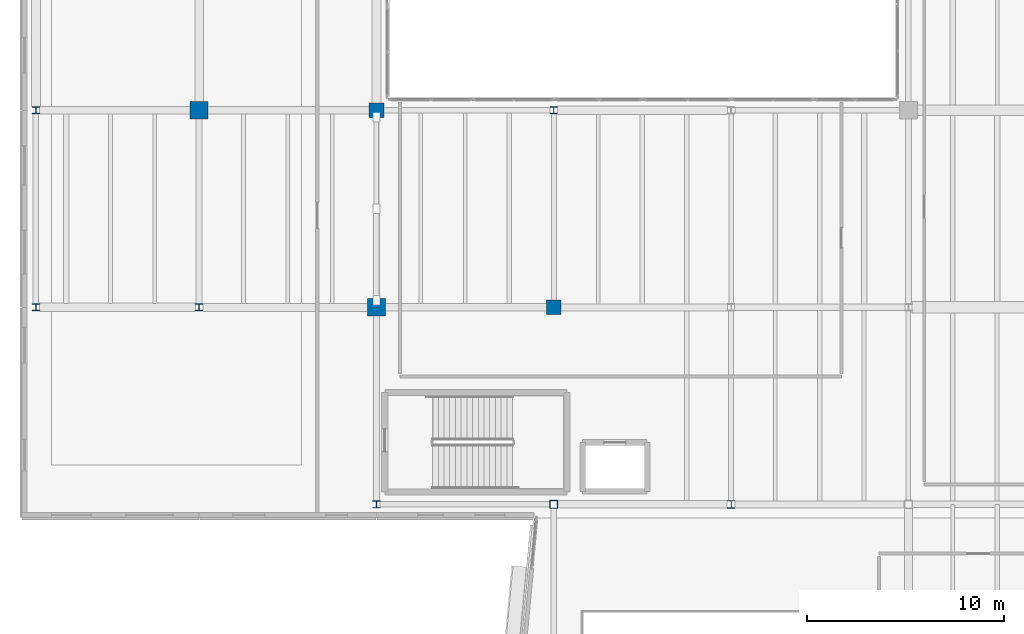
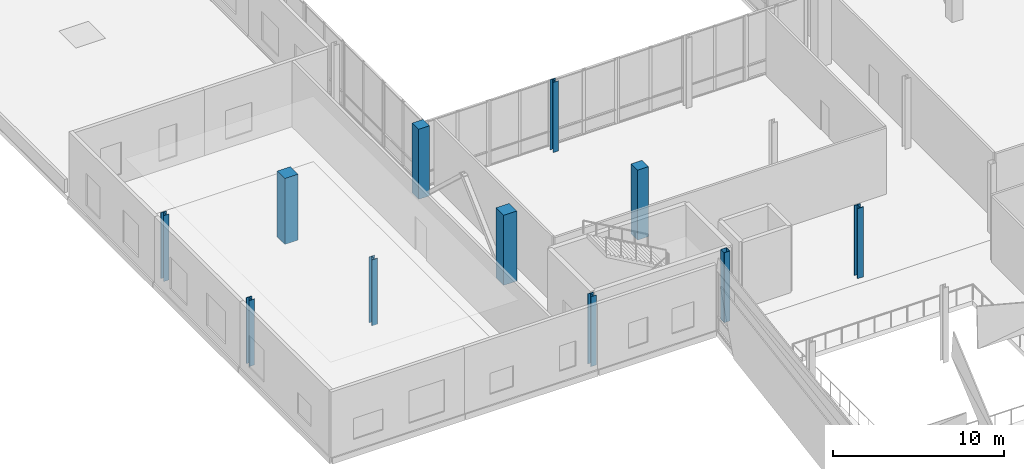
# One storey, part 2 of 60: 11 columns.
"""IFC4 building model written with IfcOpenShell, lengths in metres."""

from ifc_helpers import new_model, si_unit, direction, frame, origin, origin_2d, place, context, subcontext, project, spatial, rectangle, hollow_rectangle, i_section, extrude, material, material_profile, profile_set, type_object, element, save


model = new_model("IFC4")

# Units and contexts
model_context = context("Model", 3, precision=1e-05, world=origin(), true_north=direction((0.0, 1.0)))
body_context = subcontext(model_context, "Body", "Model", "MODEL_VIEW")
ifc_project = project(units=[si_unit("LENGTHUNIT", "METRE"), si_unit("AREAUNIT", "SQUARE_METRE"), si_unit("VOLUMEUNIT", "CUBIC_METRE"), si_unit("PLANEANGLEUNIT", "RADIAN"), si_unit("MASSUNIT", "GRAM", prefix="KILO")], contexts=[model_context])

# Site, building, storey
site_placement = place(None, origin())
site = spatial("IfcSite", under=ifc_project, at=site_placement, CompositionType="ELEMENT")
building_placement = place(site_placement, origin())
building = spatial("IfcBuilding", under=site, at=building_placement, Name="Trimount Lyric Opera House", CompositionType="ELEMENT")
storey_placement = place(building_placement, frame((0.0, 0.0, 15.0)))
storey = spatial("IfcBuildingStorey", under=building, at=storey_placement, Name="L03", CompositionType="ELEMENT", Elevation=15.0)

# Columns
ifc_material_1 = material(Name="Steel ASTM A992 Grade 50", Category="steel")
ifc_material_profile_1 = material_profile(ifc_material_1, i_section(OverallWidth=0.406005859375, OverallDepth=0.4169921875, WebThickness=0.02978515625, FlangeThickness=0.048095703125, FilletRadius=0.01806640625, at=origin_2d()), Name="W14X257")
ifc_profile_set_1 = profile_set([ifc_material_profile_1], Name="Steel ASTM A992 Grade 50")
column_type_1 = type_object("IfcColumnType", Name="C-02", PredefinedType="COLUMN", material=ifc_profile_set_1)
column_1_placement = place(storey_placement, frame((36.0, 54.0, 0.0), z_axis=(0.0, 0.0, 1.0), x_axis=(1.0, 0.0, 0.0)))
element("IfcColumn", 1, at=column_1_placement, inside=storey, type_object=column_type_1, Name="L03 column 5/G", PredefinedType="COLUMN", context=body_context, shape_type="SweptSolid", body=[
    extrude(i_section(OverallWidth=0.406005859375, OverallDepth=0.4169921875, WebThickness=0.02978515625, FlangeThickness=0.048095703125, FilletRadius=0.01806640625, at=origin_2d()), origin(), (0.0, 0.0, 1.0), 5.0),
])
ifc_material_2 = material(Name="Steel ASTM A992 Grade 50", Category="steel")
ifc_material_profile_2 = material_profile(ifc_material_2, i_section(OverallWidth=0.373046875, OverallDepth=0.367919921875, WebThickness=0.014892578125, FlangeThickness=0.02392578125, FilletRadius=0.014892578125, at=origin_2d()), Name="W14X120")
ifc_profile_set_2 = profile_set([ifc_material_profile_2], Name="Steel ASTM A992 Grade 50")
column_type_2 = type_object("IfcColumnType", Name="C-04", PredefinedType="COLUMN", material=ifc_profile_set_2)
for number, where, z_axis, x_axis, name in (
    (2, (0.719970703125, 74.0, 0.0), (0.0, 0.0, 1.0), (1.0, 0.0, 0.0), "L03 column 1/J"),
    (3, (9.0, 64.0, 0.0), (0.0, 0.0, 1.0), (1.0, 0.0, 0.0), "L03 column 2/H"),
):
    element("IfcColumn", number, at=place(storey_placement, frame(where, z_axis=z_axis, x_axis=x_axis)), inside=storey, type_object=column_type_2, Name=name, PredefinedType="COLUMN", context=body_context, shape_type="SweptSolid", body=[
        extrude(i_section(OverallWidth=0.373046875, OverallDepth=0.367919921875, WebThickness=0.014892578125, FlangeThickness=0.02392578125, FilletRadius=0.014892578125, at=origin_2d()), origin(), (0.0, 0.0, 1.0), 4.7099609375),
    ])
column_2_placement = place(storey_placement, frame((18.0, 54.0, 0.0), z_axis=(0.0, 0.0, 1.0), x_axis=(1.0, 0.0, 0.0)))
element("IfcColumn", 4, at=column_2_placement, inside=storey, type_object=column_type_2, Name="L03 column 3/G", PredefinedType="COLUMN", context=body_context, shape_type="SweptSolid", body=[
    extrude(i_section(OverallWidth=0.373046875, OverallDepth=0.367919921875, WebThickness=0.014892578125, FlangeThickness=0.02392578125, FilletRadius=0.014892578125, at=origin_2d()), origin(), (0.0, 0.0, 1.0), 5.0),
])
ifc_material_3 = material(Name="Steel ASTM A500 Grade C", Category="steel")
ifc_material_profile_3 = material_profile(ifc_material_3, hollow_rectangle(XDim=0.406494140625, YDim=0.406494140625, WallThickness=0.014892578125, InnerFilletRadius=0.01513671875, OuterFilletRadius=0.030029296875, at=origin_2d()), Name="HSS406.4X406.4X15.9")
ifc_profile_set_3 = profile_set([ifc_material_profile_3], Name="Steel ASTM A500 Grade C")
column_type_3 = type_object("IfcColumnType", Name="C-07", PredefinedType="COLUMN", material=ifc_profile_set_3)
column_3_placement = place(storey_placement, frame((27.0, 54.0, 0.0), z_axis=(0.0, 0.0, 1.0), x_axis=(1.0, 0.0, 0.0)))
element("IfcColumn", 5, at=column_3_placement, inside=storey, type_object=column_type_3, Name="L03 column 4/G", PredefinedType="COLUMN", context=body_context, shape_type="SweptSolid", body=[
    extrude(hollow_rectangle(XDim=0.406494140625, YDim=0.406494140625, WallThickness=0.014892578125, InnerFilletRadius=0.01513671875, OuterFilletRadius=0.030029296875, at=origin_2d()), origin(), (0.0, 0.0, 1.0), 5.0),
])
ifc_material_4 = material(Name="Steel ASTM A992 Grade 50", Category="steel")
ifc_material_profile_4 = material_profile(ifc_material_4, i_section(OverallWidth=0.367919921875, OverallDepth=0.35595703125, WebThickness=0.01123046875, FlangeThickness=0.01806640625, FilletRadius=0.014892578125, at=origin_2d()), Name="W14X90")
ifc_profile_set_4 = profile_set([ifc_material_profile_4], Name="Steel ASTM A992 Grade 50")
column_type_4 = type_object("IfcColumnType", Name="C-09", PredefinedType="COLUMN", material=ifc_profile_set_4)
column_4_placement = place(storey_placement, frame((0.719970703125, 64.0, 0.0), z_axis=(0.0, 0.0, 1.0), x_axis=(1.0, 0.0, 0.0)))
element("IfcColumn", 6, at=column_4_placement, inside=storey, type_object=column_type_4, Name="L03 column 1/H", PredefinedType="COLUMN", context=body_context, shape_type="SweptSolid", body=[
    extrude(i_section(OverallWidth=0.367919921875, OverallDepth=0.35595703125, WebThickness=0.01123046875, FlangeThickness=0.01806640625, FilletRadius=0.014892578125, at=origin_2d()), origin(), (0.0, 0.0, 1.0), 4.7099609375),
])
column_5_placement = place(storey_placement, frame((27.0, 74.0, 0.0), z_axis=(0.0, 0.0, 1.0), x_axis=(1.0, 0.0, 0.0)))
element("IfcColumn", 7, at=column_5_placement, inside=storey, type_object=column_type_4, Name="L03 column 4/J", PredefinedType="COLUMN", context=body_context, shape_type="SweptSolid", body=[
    extrude(i_section(OverallWidth=0.367919921875, OverallDepth=0.35595703125, WebThickness=0.01123046875, FlangeThickness=0.01806640625, FilletRadius=0.014892578125, at=origin_2d()), origin(), (0.0, 0.0, 1.0), 5.0),
])
ifc_material_5 = material(Name="Concrete C50/60", Category="concrete")
ifc_material_profile_5 = material_profile(ifc_material_5, rectangle(XDim=0.89990234375, YDim=0.89990234375, at=origin_2d()), Name="RC900X900")
ifc_profile_set_5 = profile_set([ifc_material_profile_5], Name="Concrete C50/60")
column_type_5 = type_object("IfcColumnType", Name="C-13", PredefinedType="COLUMN", material=ifc_profile_set_5)
column_6_placement = place(storey_placement, frame((9.0, 74.0, 0.0), z_axis=(0.0, 0.0, 1.0), x_axis=(1.0, 0.0, 0.0)))
element("IfcColumn", 8, at=column_6_placement, inside=storey, type_object=column_type_5, Name="L03 column 2/J", PredefinedType="COLUMN", context=body_context, shape_type="SweptSolid", body=[
    extrude(rectangle(XDim=0.89990234375, YDim=0.89990234375, at=origin_2d()), origin(), (0.0, 0.0, 1.0), 4.7099609375),
])
column_7_placement = place(storey_placement, frame((18.0, 64.0, 0.0), z_axis=(0.0, 0.0, 1.0), x_axis=(1.0, 0.0, 0.0)))
element("IfcColumn", 9, at=column_7_placement, inside=storey, type_object=column_type_5, Name="L03 column 3/H", PredefinedType="COLUMN", context=body_context, shape_type="SweptSolid", body=[
    extrude(rectangle(XDim=0.89990234375, YDim=0.89990234375, at=origin_2d()), origin(), (0.0, 0.0, 1.0), 5.0),
])
ifc_material_6 = material(Name="Concrete C40/50", Category="concrete")
ifc_material_profile_6 = material_profile(ifc_material_6, rectangle(XDim=0.75, YDim=0.75, at=origin_2d()), Name="RC750X750")
ifc_profile_set_6 = profile_set([ifc_material_profile_6], Name="Concrete C40/50")
column_type_6 = type_object("IfcColumnType", Name="C-15", PredefinedType="COLUMN", material=ifc_profile_set_6)
for number, where, z_axis, x_axis, name in (
    (10, (18.0, 74.0, 0.0), (0.0, 0.0, 1.0), (1.0, 0.0, 0.0), "L03 column 3/J"),
    (11, (27.0, 64.0, 0.0), (0.0, 0.0, 1.0), (1.0, 0.0, 0.0), "L03 column 4/H"),
):
    element("IfcColumn", number, at=place(storey_placement, frame(where, z_axis=z_axis, x_axis=x_axis)), inside=storey, type_object=column_type_6, Name=name, PredefinedType="COLUMN", context=body_context, shape_type="SweptSolid", body=[
        extrude(rectangle(XDim=0.75, YDim=0.75, at=origin_2d()), origin(), (0.0, 0.0, 1.0), 5.0),
    ])

save(model, "model.ifc")
